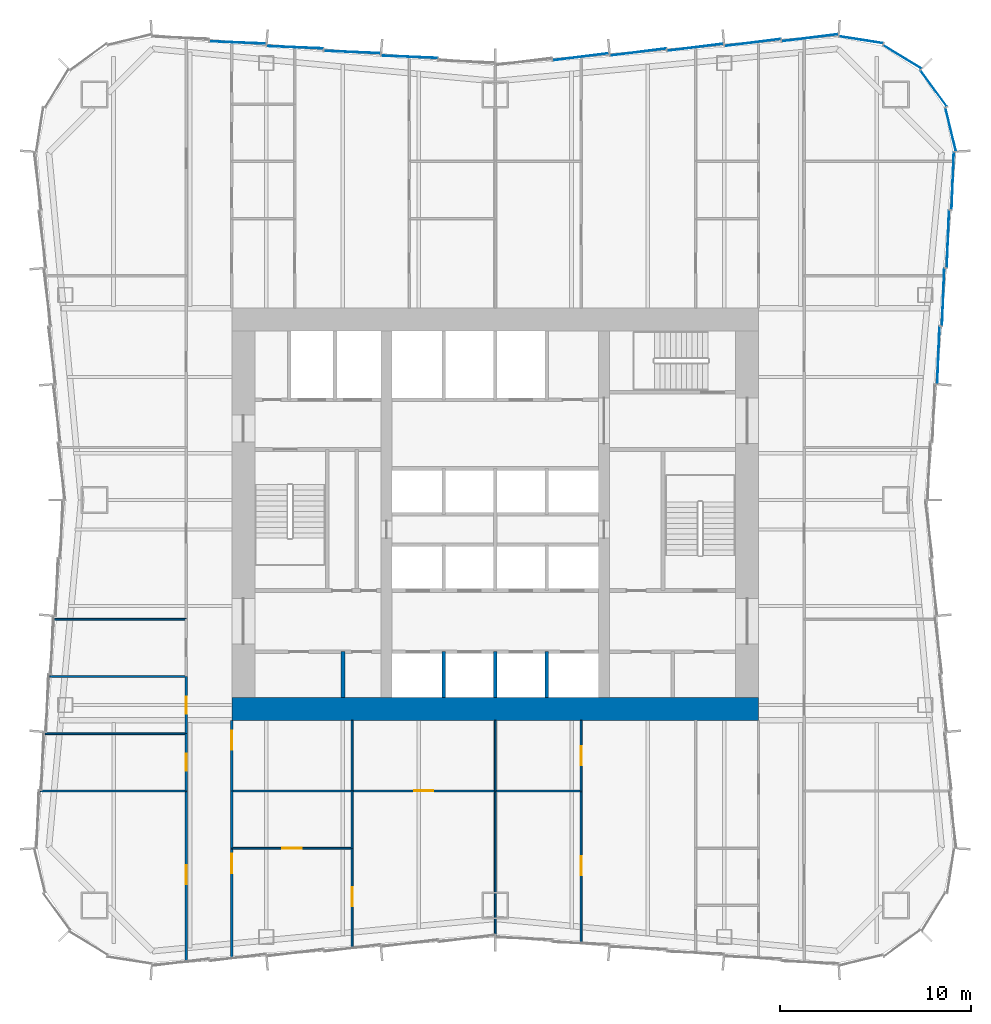
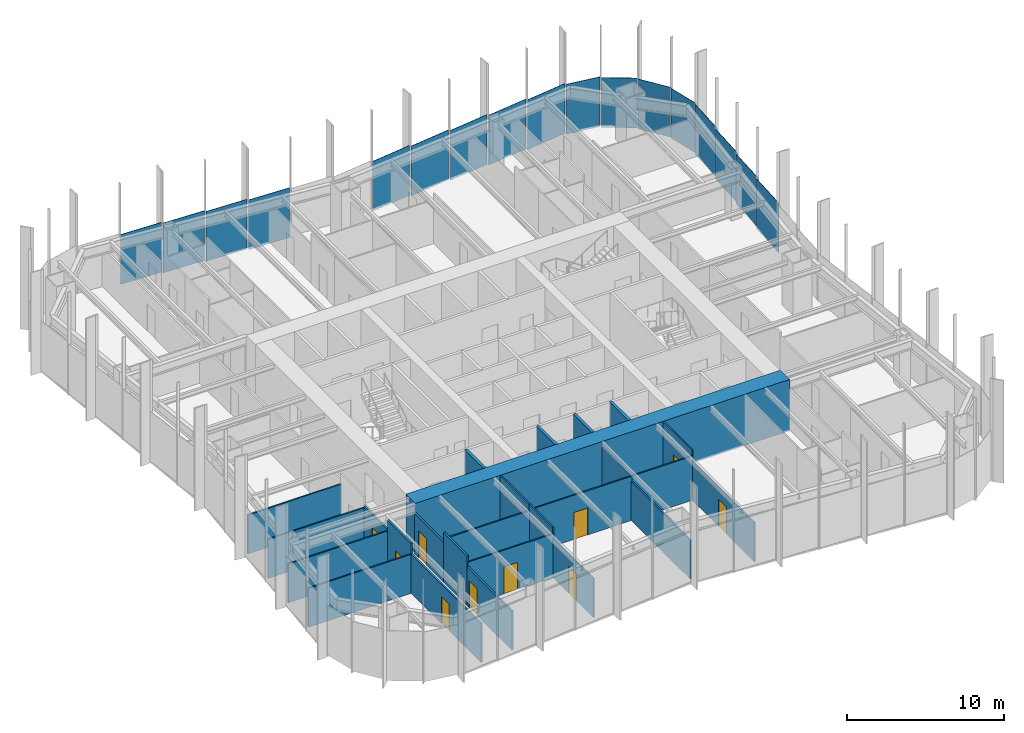
# One storey, part 8 of 13: 26 walls, 17 plates, 10 doors, 10 openings, 3 elements without a shape of their own.
"""IFC4 building model written with IfcOpenShell, lengths in metres."""

from ifc_helpers import new_model, si_unit, direction, frame, frame_2d, origin, origin_2d, place, context, subcontext, project, spatial, rectangle, extrude, material, layer, layer_set, type_object, element, fill, aggregate, save


model = new_model("IFC4")

# Units and contexts
model_context = context("Model", 3, precision=1e-05, world=origin(), true_north=direction((0.0, 1.0)))
body_context = subcontext(model_context, "Body", "Model", "MODEL_VIEW")
ifc_project = project(units=[si_unit("LENGTHUNIT", "METRE"), si_unit("AREAUNIT", "SQUARE_METRE"), si_unit("VOLUMEUNIT", "CUBIC_METRE"), si_unit("PLANEANGLEUNIT", "RADIAN"), si_unit("MASSUNIT", "GRAM", prefix="KILO")], contexts=[model_context])

# Site, building, storey
site_placement = place(None, origin())
site = spatial("IfcSite", under=ifc_project, at=site_placement, CompositionType="ELEMENT")
building_placement = place(site_placement, origin())
building = spatial("IfcBuilding", under=site, at=building_placement, Name="Verdant Reach Tower", CompositionType="ELEMENT")
storey_placement = place(building_placement, frame((0.0, 0.0, 106.0)))
storey = spatial("IfcBuildingStorey", under=building, at=storey_placement, Name="L24", CompositionType="ELEMENT", Elevation=106.0)

# Curtain wall, plates
ifc_material_1 = material(Name="Anodised aluminium", Category="aluminium")
curtain_wall_type = type_object("IfcCurtainWallType", Name="EN-CW SYSTEM Z1", PredefinedType="NOTDEFINED", material=ifc_material_1)
curtain_wall_1_placement = place(storey_placement, origin())
curtain_wall_1 = element("IfcCurtainWall", 1, at=curtain_wall_1_placement, inside=storey, type_object=curtain_wall_type, Name="Curtain wall east, L24", PredefinedType="NOTDEFINED")
ifc_material_2 = material(Name="Tinted glass with champagne spandrel", Category="glass")
ifc_layer_1 = layer(ifc_material_2, 0.031982421875)
ifc_layer_set_1 = layer_set([ifc_layer_1], Name="EN-PANEL CHAMPAGNE")
plate_type_1 = type_object("IfcPlateType", Name="EN-PANEL CHAMPAGNE", PredefinedType="CURTAIN_PANEL", material=ifc_layer_set_1)
plate_1_placement = place(storey_placement, frame((23.7275390625, 42.428955078125, -0.22802734375), z_axis=(0.0, 0.0, 1.0), x_axis=(0.040108781752, 0.999195319057, 0.0)))
plate_1 = element("IfcPlate", 2, at=plate_1_placement, type_object=plate_type_1, Name="Glass panel east face part 2 5.1, L24", PredefinedType="CURTAIN_PANEL", context=body_context, shape_type="SweptSolid", body=[
    extrude(rectangle(XDim=2.993896484375, YDim=0.031982421875, at=origin_2d()), origin(), (0.0, 0.0, 1.0), 3.8779296875),
])
plate_2_placement = place(storey_placement, frame((23.977783203125, 45.477783203125, -0.22802734375), z_axis=(0.0, 0.0, 1.0), x_axis=(0.039784239139, 0.999208293759, 0.0)))
plate_2 = element("IfcPlate", 3, at=plate_2_placement, type_object=plate_type_1, Name="Glass panel east face part 2 6.1, L24", PredefinedType="CURTAIN_PANEL", context=body_context, shape_type="SweptSolid", body=[
    extrude(rectangle(XDim=3.00830078125, YDim=0.031982421875, at=origin_2d()), origin(), (0.0, 0.0, 1.0), 3.8779296875),
])

# Curtain wall, plate
curtain_wall_2_placement = place(storey_placement, origin())
curtain_wall_2 = element("IfcCurtainWall", 4, at=curtain_wall_2_placement, inside=storey, type_object=curtain_wall_type, Name="Curtain wall north-east corner, L24", PredefinedType="NOTDEFINED")
plate_3_placement = place(storey_placement, frame((19.170654296875, 52.87060546875, -0.22802734375), z_axis=(0.0, 0.0, 1.0), x_axis=(-0.988032704995, 0.154244526195, 0.0)))
plate_3 = element("IfcPlate", 5, at=plate_3_placement, type_object=plate_type_1, Name="Glass panel north-east corner 4.1, L24", PredefinedType="CURTAIN_PANEL", context=body_context, shape_type="SweptSolid", body=[
    extrude(rectangle(XDim=2.317626953125, YDim=0.031982421875, at=origin_2d()), origin(), (0.0, 0.0, 1.0), 3.8779296875),
])

# Curtain wall, plates
curtain_wall_3_placement = place(storey_placement, origin())
curtain_wall_3 = element("IfcCurtainWall", 6, at=curtain_wall_3_placement, inside=storey, type_object=curtain_wall_type, Name="Curtain wall north, L24", PredefinedType="NOTDEFINED")
plate_4_placement = place(storey_placement, frame((13.491455078125, 52.7275390625, -0.22802734375), z_axis=(0.0, 0.0, 1.0), x_axis=(-0.992194034542, -0.124703639961, 0.0)))
plate_4 = element("IfcPlate", 7, at=plate_4_placement, type_object=plate_type_1, Name="Glass panel north face part 1 2.1, L24", PredefinedType="CURTAIN_PANEL", context=body_context, shape_type="SweptSolid", body=[
    extrude(rectangle(XDim=2.952392578125, YDim=0.031982421875, at=origin_2d()), origin(), (0.0, 0.0, 1.0), 3.8779296875),
])
plate_5_placement = place(storey_placement, frame((10.491455078125, 52.4775390625, -0.22802734375), z_axis=(0.0, 0.0, 1.0), x_axis=(-0.992194034542, -0.124703639961, 0.0)))
plate_5 = element("IfcPlate", 8, at=plate_5_placement, type_object=plate_type_1, Name="Glass panel north face part 1 3.1, L24", PredefinedType="CURTAIN_PANEL", context=body_context, shape_type="SweptSolid", body=[
    extrude(rectangle(XDim=2.952392578125, YDim=0.031982421875, at=origin_2d()), origin(), (0.0, 0.0, 1.0), 3.8779296875),
])
plate_6_placement = place(storey_placement, frame((-7.491455078125, 52.2275390625, -0.22802734375), z_axis=(0.0, 0.0, 1.0), x_axis=(-0.999149202059, 0.041241629766, 0.0)))
plate_6 = element("IfcPlate", 9, at=plate_6_placement, type_object=plate_type_1, Name="Glass panel north face part 2 3.1, L24", PredefinedType="CURTAIN_PANEL", context=body_context, shape_type="SweptSolid", body=[
    extrude(rectangle(XDim=2.952392578125, YDim=0.031982421875, at=origin_2d()), origin(), (0.0, 0.0, 1.0), 3.8779296875),
])
plate_7_placement = place(storey_placement, frame((-10.491455078125, 52.4775390625, -0.22802734375), z_axis=(0.0, 0.0, 1.0), x_axis=(-0.999149202059, 0.041241629766, 0.0)))
plate_7 = element("IfcPlate", 10, at=plate_7_placement, type_object=plate_type_1, Name="Glass panel north face part 2 4.1, L24", PredefinedType="CURTAIN_PANEL", context=body_context, shape_type="SweptSolid", body=[
    extrude(rectangle(XDim=2.952392578125, YDim=0.031982421875, at=origin_2d()), origin(), (0.0, 0.0, 1.0), 3.8779296875),
])
plate_8_placement = place(storey_placement, frame((-13.491455078125, 52.7275390625, -0.22802734375), z_axis=(0.0, 0.0, 1.0), x_axis=(-0.999149202059, 0.041241629766, 0.0)))
plate_8 = element("IfcPlate", 11, at=plate_8_placement, type_object=plate_type_1, Name="Glass panel north face part 2 5.1, L24", PredefinedType="CURTAIN_PANEL", context=body_context, shape_type="SweptSolid", body=[
    extrude(rectangle(XDim=2.952392578125, YDim=0.031982421875, at=origin_2d()), origin(), (0.0, 0.0, 1.0), 3.8779296875),
])
ifc_material_3 = material(Name="Tinted glass with copper spandrel", Category="glass")
ifc_layer_2 = layer(ifc_material_3, 0.031982421875)
ifc_layer_set_2 = layer_set([ifc_layer_2], Name="EN-PANEL COPPER")
plate_type_2 = type_object("IfcPlateType", Name="EN-PANEL COPPER", PredefinedType="CURTAIN_PANEL", material=ifc_layer_set_2)
plate_9_placement = place(storey_placement, frame((7.491455078125, 52.2275390625, -0.22802734375), z_axis=(0.0, 0.0, 1.0), x_axis=(-0.992194034542, -0.124703639961, 0.0)))
plate_9 = element("IfcPlate", 12, at=plate_9_placement, type_object=plate_type_2, Name="Glass panel north face part 1 4.1, L24", PredefinedType="CURTAIN_PANEL", context=body_context, shape_type="SweptSolid", body=[
    extrude(rectangle(XDim=2.952392578125, YDim=0.031982421875, at=origin_2d()), origin(), (0.0, 0.0, 1.0), 3.8779296875),
])
plate_10_placement = place(storey_placement, frame((4.491455078125, 51.9775390625, -0.22802734375), z_axis=(0.0, 0.0, 1.0), x_axis=(-0.992194034542, -0.124703639961, 0.0)))
plate_10 = element("IfcPlate", 13, at=plate_10_placement, type_object=plate_type_2, Name="Glass panel north face part 1 5.1, L24", PredefinedType="CURTAIN_PANEL", context=body_context, shape_type="SweptSolid", body=[
    extrude(rectangle(XDim=2.952392578125, YDim=0.031982421875, at=origin_2d()), origin(), (0.0, 0.0, 1.0), 3.8779296875),
])

# Plate
ifc_material_4 = material(Name="Tinted glass with dark bronze spandrel", Category="glass")
ifc_layer_3 = layer(ifc_material_4, 0.031982421875)
ifc_layer_set_3 = layer_set([ifc_layer_3], Name="EN-PANEL DARK")
plate_type_3 = type_object("IfcPlateType", Name="EN-PANEL DARK", PredefinedType="CURTAIN_PANEL", material=ifc_layer_set_3)
plate_11_placement = place(storey_placement, frame((23.2275390625, 36.345703125, -0.22802734375), z_axis=(0.0, 0.0, 1.0), x_axis=(0.040108781752, 0.999195319057, 0.0)))
plate_11 = element("IfcPlate", 14, at=plate_11_placement, type_object=plate_type_3, Name="Glass panel east face part 2 3.1, L24", PredefinedType="CURTAIN_PANEL", context=body_context, shape_type="SweptSolid", body=[
    extrude(rectangle(XDim=2.993896484375, YDim=0.031982421875, at=origin_2d()), origin(), (0.0, 0.0, 1.0), 3.8779296875),
])

plate_12_placement = place(storey_placement, frame((23.4775390625, 39.387451171875, -0.22802734375), z_axis=(0.0, 0.0, 1.0), x_axis=(0.040108781752, 0.999195319057, 0.0)))
plate_12 = element("IfcPlate", 15, at=plate_12_placement, type_object=plate_type_3, Name="Glass panel east face part 2 4.1, L24", PredefinedType="CURTAIN_PANEL", context=body_context, shape_type="SweptSolid", body=[
    extrude(rectangle(XDim=2.993896484375, YDim=0.031982421875, at=origin_2d()), origin(), (0.0, 0.0, 1.0), 3.8779296875),
])

aggregate(curtain_wall_1, [plate_11, plate_12, plate_1, plate_2])

plate_13_placement = place(storey_placement, frame((23.87060546875, 48.170654296875, -0.22802734375), z_axis=(0.0, 0.0, 1.0), x_axis=(-0.236383344544, 0.971659875894, 0.0)))
plate_13 = element("IfcPlate", 16, at=plate_13_placement, type_object=plate_type_3, Name="Glass panel north-east corner 1.1, L24", PredefinedType="CURTAIN_PANEL", context=body_context, shape_type="SweptSolid", body=[
    extrude(rectangle(XDim=2.3173828125, YDim=0.031982421875, at=origin_2d()), origin(), (0.0, 0.0, 1.0), 3.8779296875),
])

plate_14_placement = place(storey_placement, frame((22.97705078125, 50.325439453125, -0.22802734375), z_axis=(0.0, 0.0, 1.0), x_axis=(-0.589926768145, 0.807456753161, 0.0)))
plate_14 = element("IfcPlate", 17, at=plate_14_placement, type_object=plate_type_3, Name="Glass panel north-east corner 2.1, L24", PredefinedType="CURTAIN_PANEL", context=body_context, shape_type="SweptSolid", body=[
    extrude(rectangle(XDim=2.3232421875, YDim=0.031982421875, at=origin_2d()), origin(), (0.0, 0.0, 1.0), 3.8779296875),
])

plate_15_placement = place(storey_placement, frame((21.325439453125, 51.97705078125, -0.22802734375), z_axis=(0.0, 0.0, 1.0), x_axis=(-0.85398868836, 0.520291572248, 0.0)))
plate_15 = element("IfcPlate", 18, at=plate_15_placement, type_object=plate_type_3, Name="Glass panel north-east corner 3.1, L24", PredefinedType="CURTAIN_PANEL", context=body_context, shape_type="SweptSolid", body=[
    extrude(rectangle(XDim=2.3232421875, YDim=0.031982421875, at=origin_2d()), origin(), (0.0, 0.0, 1.0), 3.8779296875),
])

aggregate(curtain_wall_2, [plate_13, plate_14, plate_15, plate_3])

plate_16_placement = place(storey_placement, frame((16.49853515625, 52.977783203125, -0.22802734375), z_axis=(0.0, 0.0, 1.0), x_axis=(-0.99223537376, -0.124374286167, 0.0)))
plate_16 = element("IfcPlate", 19, at=plate_16_placement, type_object=plate_type_3, Name="Glass panel north face part 1 1.1, L24", PredefinedType="CURTAIN_PANEL", context=body_context, shape_type="SweptSolid", body=[
    extrude(rectangle(XDim=2.966796875, YDim=0.031982421875, at=origin_2d()), origin(), (0.0, 0.0, 1.0), 3.8779296875),
])

plate_17_placement = place(storey_placement, frame((-4.491455078125, 51.9775390625, -0.22802734375), z_axis=(0.0, 0.0, 1.0), x_axis=(-0.999149202059, 0.041241629766, 0.0)))
plate_17 = element("IfcPlate", 20, at=plate_17_placement, type_object=plate_type_3, Name="Glass panel north face part 2 2.1, L24", PredefinedType="CURTAIN_PANEL", context=body_context, shape_type="SweptSolid", body=[
    extrude(rectangle(XDim=2.952392578125, YDim=0.031982421875, at=origin_2d()), origin(), (0.0, 0.0, 1.0), 3.8779296875),
])

aggregate(curtain_wall_3, [plate_16, plate_4, plate_5, plate_9, plate_10, plate_17, plate_6, plate_7, plate_8])

# Walls
ifc_material_5 = material(Name="Gypsum board on steel studs", Category="steel")
ifc_layer_4 = layer(ifc_material_5, 0.199951171875)
ifc_layer_set_4 = layer_set([ifc_layer_4], Name="CO-WALL-ROOM")
wall_type_1 = type_object("IfcWallType", Name="CO-WALL-ROOM", PredefinedType="PARTITIONING", material=ifc_layer_set_4)
wall_1_placement = place(storey_placement, frame((-7.97998046875, 18.39990234375, 0.0), z_axis=(0.0, 0.0, 1.0), x_axis=(0.0, 1.0, 0.0)))
element("IfcWall", 21, at=wall_1_placement, inside=storey, type_object=wall_type_1, Name="Core partition, L24", PredefinedType="PARTITIONING", context=body_context, shape_type="SweptSolid", body=[
    extrude(rectangle(XDim=2.400146484375, YDim=0.199951171875, at=frame_2d((1.2001953125, 0.0))), origin(), (0.0, 0.0, 1.0), 3.8701171875),
])
ifc_material_6 = material(Name="Concrete C40/50", Category="concrete")
ifc_layer_5 = layer(ifc_material_6, 0.199951171875)
ifc_layer_set_5 = layer_set([ifc_layer_5], Name="CO-WALL-SHAFT")
wall_type_2 = type_object("IfcWallType", Name="CO-WALL-SHAFT", PredefinedType="PARTITIONING", material=ifc_layer_set_5)
for number, where, z_axis, x_axis, name in (
    (22, (-2.699951171875, 18.39990234375, 0.0), (0.0, 0.0, 1.0), (0.0, 1.0, 0.0), "Lift shaft wall, L24"),
    (23, (0.0, 18.39990234375, 0.0), (0.0, 0.0, 1.0), (0.0, 1.0, 0.0), "Lift shaft wall, L24"),
    (24, (2.699951171875, 18.39990234375, 0.0), (0.0, 0.0, 1.0), (0.0, 1.0, 0.0), "Lift shaft wall, L24"),
):
    element("IfcWall", number, at=place(storey_placement, frame(where, z_axis=z_axis, x_axis=x_axis)), inside=storey, type_object=wall_type_2, Name=name, PredefinedType="PARTITIONING", context=body_context, shape_type="SweptSolid", body=[
        extrude(rectangle(XDim=2.400146484375, YDim=0.199951171875, at=frame_2d((1.2001953125, 0.0))), origin(), (0.0, 0.0, 1.0), 3.8701171875),
    ])
ifc_layer_6 = layer(ifc_material_5, 0.10009765625)
ifc_layer_set_6 = layer_set([ifc_layer_6], Name="FL-W1 Partition 100")
wall_type_3 = type_object("IfcWallType", Name="FL-W1 Partition 100", PredefinedType="PARTITIONING", material=ifc_layer_set_6)
wall_2_placement = place(storey_placement, frame((-16.199951171875, 13.5, 0.0), z_axis=(0.0, 0.0, 1.0), x_axis=(-1.0, 0.0, 0.0)))
element("IfcWall", 25, at=wall_2_placement, inside=storey, type_object=wall_type_3, Name="Partition 24.27", PredefinedType="PARTITIONING", context=body_context, shape_type="SweptSolid", body=[
    extrude(rectangle(XDim=7.633544921875, YDim=0.10009765625, at=frame_2d((3.81689453125, 0.0))), origin(), (0.0, 0.0, 1.0), 3.0400390625),
])
wall_3_placement = place(storey_placement, frame((-16.199951171875, 16.5, 0.0), z_axis=(0.0, 0.0, 1.0), x_axis=(-1.0, 0.0, 0.0)))
element("IfcWall", 26, at=wall_3_placement, inside=storey, type_object=wall_type_3, Name="Partition 24.28", PredefinedType="PARTITIONING", context=body_context, shape_type="SweptSolid", body=[
    extrude(rectangle(XDim=7.386962890625, YDim=0.10009765625, at=frame_2d((3.693359375, 0.0))), origin(), (0.0, 0.0, 1.0), 3.0400390625),
])
wall_4_placement = place(storey_placement, frame((-16.199951171875, 19.5, 0.0), z_axis=(0.0, 0.0, 1.0), x_axis=(-1.0, 0.0, 0.0)))
element("IfcWall", 27, at=wall_4_placement, inside=storey, type_object=wall_type_3, Name="Partition 24.29", PredefinedType="PARTITIONING", context=body_context, shape_type="SweptSolid", body=[
    extrude(rectangle(XDim=7.140380859375, YDim=0.10009765625, at=frame_2d((3.5703125, 0.0))), origin(), (0.0, 0.0, 1.0), 3.0400390625),
])
wall_5_placement = place(storey_placement, frame((-16.199951171875, 22.5, 0.0), z_axis=(0.0, 0.0, 1.0), x_axis=(-1.0, 0.0, 0.0)))
element("IfcWall", 28, at=wall_5_placement, inside=storey, type_object=wall_type_3, Name="Partition 24.30", PredefinedType="PARTITIONING", context=body_context, shape_type="SweptSolid", body=[
    extrude(rectangle(XDim=6.893798828125, YDim=0.10009765625, at=frame_2d((3.44677734375, 0.0))), origin(), (0.0, 0.0, 1.0), 3.0400390625),
])

# Wall, opening, door
wall_6_placement = place(storey_placement, frame((-13.800048828125, 10.5, 0.0), z_axis=(0.0, 0.0, 1.0), x_axis=(1.0, 0.0, 0.0)))
wall_6 = element("IfcWall", 29, at=wall_6_placement, inside=storey, type_object=wall_type_3, Name="Partition 24.38", PredefinedType="PARTITIONING", context=body_context, shape_type="SweptSolid", body=[
    extrude(rectangle(XDim=6.300048828125, YDim=0.10009765625, at=frame_2d((3.14990234375, 0.0))), origin(), (0.0, 0.0, 1.0), 3.389892578125),
])
opening_1_placement = place(wall_6_placement, frame((2.64990234375, 0.0, 0.0)))
opening_1 = element("IfcOpeningElement", 30, at=opening_1_placement, cuts=wall_6, Name="Opening D3", PredefinedType="OPENING", context=body_context, shape_type="SweptSolid", body=[
    extrude(rectangle(XDim=1.0, YDim=2.10009765625, at=frame_2d((0.5, 1.050048828125))), frame((0.0, 0.06005859375, 0.0), z_axis=(0.0, -1.0, 0.0), x_axis=(1.0, 0.0, 0.0)), (0.0, 0.0, 1.0), 0.1201171875),
])
ifc_material_7 = material(Name="Painted timber door leaf", Category="wood")
door_type_1 = type_object("IfcDoorType", Name="FL-D3 Door 1000x2100", OperationType="NOTDEFINED", PredefinedType="DOOR", material=ifc_material_7)
door_1_placement = place(opening_1_placement, origin())
door_1 = element("IfcDoor", 31, at=door_1_placement, inside=storey, type_object=door_type_1, Name="Door 24-026", OperationType="SINGLE_SWING_RIGHT", OverallHeight=2.10009765625, OverallWidth=1.0, PredefinedType="DOOR", context=body_context, shape_type="SweptSolid", body=[
    extrude(rectangle(XDim=1.0, YDim=2.10009765625, at=frame_2d((0.5, 1.050048828125))), frame((0.0, 0.02490234375, 0.0), z_axis=(0.0, -1.0, 0.0), x_axis=(1.0, 0.0, 0.0)), (0.0, 0.0, 1.0), 0.050048828125),
])
fill(opening_1, door_1)

wall_7_placement = place(storey_placement, frame((-7.5, 10.50390625, 0.0), z_axis=(0.0, 0.0, 1.0), x_axis=(0.0, -1.0, 0.0)))
wall_7 = element("IfcWall", 32, at=wall_7_placement, inside=storey, type_object=wall_type_3, Name="Partition 24.39", PredefinedType="PARTITIONING", context=body_context, shape_type="SweptSolid", body=[
    extrude(rectangle(XDim=5.208984375, YDim=0.10009765625, at=frame_2d((2.6044921875, 0.0))), origin(), (0.0, 0.0, 1.0), 3.0400390625),
])
opening_2_placement = place(wall_7_placement, frame((2.039306640625, 0.0, 0.0)))
opening_2 = element("IfcOpeningElement", 33, at=opening_2_placement, cuts=wall_7, Name="Opening D3", PredefinedType="OPENING", context=body_context, shape_type="SweptSolid", body=[
    extrude(rectangle(XDim=1.0, YDim=2.10009765625, at=frame_2d((0.5, 1.050048828125))), frame((0.0, 0.06005859375, 0.0), z_axis=(0.0, -1.0, 0.0), x_axis=(1.0, 0.0, 0.0)), (0.0, 0.0, 1.0), 0.1201171875),
])
door_2_placement = place(opening_2_placement, origin())
door_2 = element("IfcDoor", 34, at=door_2_placement, inside=storey, type_object=door_type_1, Name="Door 24-027", OperationType="SINGLE_SWING_LEFT", OverallHeight=2.10009765625, OverallWidth=1.0, PredefinedType="DOOR", context=body_context, shape_type="SweptSolid", body=[
    extrude(rectangle(XDim=1.0, YDim=2.10009765625, at=frame_2d((0.5, 1.050048828125))), frame((0.0, 0.02490234375, 0.0), z_axis=(0.0, -1.0, 0.0), x_axis=(1.0, 0.0, 0.0)), (0.0, 0.0, 1.0), 0.050048828125),
])
fill(opening_2, door_2)

# Walls
wall_8_placement = place(storey_placement, frame((-7.5, 13.5, 0.0), z_axis=(0.0, 0.0, 1.0), x_axis=(-1.0, 0.0, 0.0)))
element("IfcWall", 35, at=wall_8_placement, inside=storey, type_object=wall_type_3, Name="Partition 24.40", PredefinedType="PARTITIONING", context=body_context, shape_type="SweptSolid", body=[
    extrude(rectangle(XDim=6.300048828125, YDim=0.10009765625, at=frame_2d((3.14990234375, 0.0))), origin(), (0.0, 0.0, 1.0), 3.389892578125),
])
wall_9_placement = place(storey_placement, frame((-7.5, 10.49609375, 0.0), z_axis=(0.0, 0.0, 1.0), x_axis=(0.0, 1.0, 0.0)))
element("IfcWall", 36, at=wall_9_placement, inside=storey, type_object=wall_type_3, Name="Partition 24.41", PredefinedType="PARTITIONING", context=body_context, shape_type="SweptSolid", body=[
    extrude(rectangle(XDim=3.00390625, YDim=0.10009765625, at=frame_2d((1.501953125, 0.0))), origin(), (0.0, 0.0, 1.0), 3.8701171875),
])
wall_10_placement = place(storey_placement, frame((-7.5, 13.5, 0.0), z_axis=(0.0, 0.0, 1.0), x_axis=(0.0, 1.0, 0.0)))
element("IfcWall", 37, at=wall_10_placement, inside=storey, type_object=wall_type_3, Name="Partition 24.42", PredefinedType="PARTITIONING", context=body_context, shape_type="SweptSolid", body=[
    extrude(rectangle(XDim=3.699951171875, YDim=0.10009765625, at=frame_2d((1.85009765625, 0.0))), origin(), (0.0, 0.0, 1.0), 3.8701171875),
])

# Wall, opening, door
wall_11_placement = place(storey_placement, frame((-7.5, 13.5, 0.0), z_axis=(0.0, 0.0, 1.0), x_axis=(1.0, 0.0, 0.0)))
wall_11 = element("IfcWall", 38, at=wall_11_placement, inside=storey, type_object=wall_type_3, Name="Partition 24.43", PredefinedType="PARTITIONING", context=body_context, shape_type="SweptSolid", body=[
    extrude(rectangle(XDim=7.5, YDim=0.10009765625, at=frame_2d((3.75, 0.0))), origin(), (0.0, 0.0, 1.0), 3.43994140625),
])
opening_3_placement = place(wall_11_placement, frame((3.25, 0.0, 0.0)))
opening_3 = element("IfcOpeningElement", 39, at=opening_3_placement, cuts=wall_11, Name="Opening D3", PredefinedType="OPENING", context=body_context, shape_type="SweptSolid", body=[
    extrude(rectangle(XDim=1.0, YDim=2.10009765625, at=frame_2d((0.5, 1.050048828125))), frame((0.0, 0.06005859375, 0.0), z_axis=(0.0, -1.0, 0.0), x_axis=(1.0, 0.0, 0.0)), (0.0, 0.0, 1.0), 0.1201171875),
])
door_3_placement = place(opening_3_placement, origin())
door_3 = element("IfcDoor", 40, at=door_3_placement, inside=storey, type_object=door_type_1, Name="Door 24-028", OperationType="SINGLE_SWING_RIGHT", OverallHeight=2.10009765625, OverallWidth=1.0, PredefinedType="DOOR", context=body_context, shape_type="SweptSolid", body=[
    extrude(rectangle(XDim=1.0, YDim=2.10009765625, at=frame_2d((0.5, 1.050048828125))), frame((0.0, 0.02490234375, 0.0), z_axis=(0.0, -1.0, 0.0), x_axis=(1.0, 0.0, 0.0)), (0.0, 0.0, 1.0), 0.050048828125),
])
fill(opening_3, door_3)

# Walls
wall_12_placement = place(storey_placement, frame((0.0, 5.919921875, 0.0), z_axis=(0.0, 0.0, 1.0), x_axis=(0.0, 1.0, 0.0)))
element("IfcWall", 41, at=wall_12_placement, inside=storey, type_object=wall_type_3, Name="Partition 24.44", PredefinedType="PARTITIONING", context=body_context, shape_type="SweptSolid", body=[
    extrude(rectangle(XDim=7.580078125, YDim=0.10009765625, at=frame_2d((3.7900390625, 0.0))), origin(), (0.0, 0.0, 1.0), 3.0400390625),
])
wall_13_placement = place(storey_placement, frame((0.0, 13.5, 0.0), z_axis=(0.0, 0.0, 1.0), x_axis=(0.0, 1.0, 0.0)))
element("IfcWall", 42, at=wall_13_placement, inside=storey, type_object=wall_type_3, Name="Partition 24.45", PredefinedType="PARTITIONING", context=body_context, shape_type="SweptSolid", body=[
    extrude(rectangle(XDim=3.699951171875, YDim=0.10009765625, at=frame_2d((1.85009765625, 0.0))), origin(), (0.0, 0.0, 1.0), 3.47998046875),
])

# Wall, opening, door
wall_14_placement = place(storey_placement, frame((4.5, 5.544921875, 0.0), z_axis=(0.0, 0.0, 1.0), x_axis=(0.0, 1.0, 0.0)))
wall_14 = element("IfcWall", 43, at=wall_14_placement, inside=storey, type_object=wall_type_3, Name="Partition 24.51", PredefinedType="PARTITIONING", context=body_context, shape_type="SweptSolid", body=[
    extrude(rectangle(XDim=7.955078125, YDim=0.10009765625, at=frame_2d((3.9775390625, 0.0))), origin(), (0.0, 0.0, 1.0), 3.0400390625),
])
opening_4_placement = place(wall_14_placement, frame((3.54248046875, 0.0, 0.0)))
opening_4 = element("IfcOpeningElement", 44, at=opening_4_placement, cuts=wall_14, Name="Opening D3", PredefinedType="OPENING", context=body_context, shape_type="SweptSolid", body=[
    extrude(rectangle(XDim=1.0, YDim=2.10009765625, at=frame_2d((0.5, 1.050048828125))), frame((0.0, 0.06005859375, 0.0), z_axis=(0.0, -1.0, 0.0), x_axis=(1.0, 0.0, 0.0)), (0.0, 0.0, 1.0), 0.1201171875),
])
door_4_placement = place(opening_4_placement, origin())
door_4 = element("IfcDoor", 45, at=door_4_placement, inside=storey, type_object=door_type_1, Name="Door 24-030", OperationType="SINGLE_SWING_RIGHT", OverallHeight=2.10009765625, OverallWidth=1.0, PredefinedType="DOOR", context=body_context, shape_type="SweptSolid", body=[
    extrude(rectangle(XDim=1.0, YDim=2.10009765625, at=frame_2d((0.5, 1.050048828125))), frame((0.0, 0.02490234375, 0.0), z_axis=(0.0, -1.0, 0.0), x_axis=(1.0, 0.0, 0.0)), (0.0, 0.0, 1.0), 0.050048828125),
])
fill(opening_4, door_4)

wall_15_placement = place(storey_placement, frame((4.5, 13.5, 0.0), z_axis=(0.0, 0.0, 1.0), x_axis=(0.0, 1.0, 0.0)))
wall_15 = element("IfcWall", 46, at=wall_15_placement, inside=storey, type_object=wall_type_3, Name="Partition 24.52", PredefinedType="PARTITIONING", context=body_context, shape_type="SweptSolid", body=[
    extrude(rectangle(XDim=3.699951171875, YDim=0.10009765625, at=frame_2d((1.85009765625, 0.0))), origin(), (0.0, 0.0, 1.0), 3.8701171875),
])
opening_5_placement = place(wall_15_placement, frame((1.35009765625, 0.0, 0.0)))
opening_5 = element("IfcOpeningElement", 47, at=opening_5_placement, cuts=wall_15, Name="Opening D3", PredefinedType="OPENING", context=body_context, shape_type="SweptSolid", body=[
    extrude(rectangle(XDim=1.0, YDim=2.10009765625, at=frame_2d((0.5, 1.050048828125))), frame((0.0, 0.06005859375, 0.0), z_axis=(0.0, -1.0, 0.0), x_axis=(1.0, 0.0, 0.0)), (0.0, 0.0, 1.0), 0.1201171875),
])
door_5_placement = place(opening_5_placement, origin())
door_5 = element("IfcDoor", 48, at=door_5_placement, inside=storey, type_object=door_type_1, Name="Door 24-031", OperationType="SINGLE_SWING_LEFT", OverallHeight=2.10009765625, OverallWidth=1.0, PredefinedType="DOOR", context=body_context, shape_type="SweptSolid", body=[
    extrude(rectangle(XDim=1.0, YDim=2.10009765625, at=frame_2d((0.5, 1.050048828125))), frame((0.0, 0.02490234375, 0.0), z_axis=(0.0, -1.0, 0.0), x_axis=(1.0, 0.0, 0.0)), (0.0, 0.0, 1.0), 0.050048828125),
])
fill(opening_5, door_5)

# Wall
wall_16_placement = place(storey_placement, frame((4.5, 13.5, 0.0), z_axis=(0.0, 0.0, 1.0), x_axis=(-1.0, 0.0, 0.0)))
element("IfcWall", 49, at=wall_16_placement, inside=storey, type_object=wall_type_3, Name="Partition 24.53", PredefinedType="PARTITIONING", context=body_context, shape_type="SweptSolid", body=[
    extrude(rectangle(XDim=4.5, YDim=0.10009765625, at=frame_2d((2.25, 0.0))), origin(), (0.0, 0.0, 1.0), 3.43994140625),
])

# Wall, opening, door
ifc_material_8 = material(Name="Gypsum board on steel studs, fire rated", Category="steel")
ifc_layer_7 = layer(ifc_material_8, 0.125)
ifc_layer_set_7 = layer_set([ifc_layer_7], Name="FL-W2 Corridor wall 125")
wall_type_4 = type_object("IfcWallType", Name="FL-W2 Corridor wall 125", PredefinedType="PARTITIONING", material=ifc_layer_set_7)
wall_17_placement = place(storey_placement, frame((-16.199951171875, 4.570068359375, 0.0), z_axis=(0.0, 0.0, 1.0), x_axis=(0.0, 1.0, 0.0)))
wall_17 = element("IfcWall", 50, at=wall_17_placement, inside=storey, type_object=wall_type_4, Name="Partition 24.01", PredefinedType="PARTITIONING", context=body_context, shape_type="SweptSolid", body=[
    extrude(rectangle(XDim=8.929931640625, YDim=0.125, at=frame_2d((4.46484375, 0.0))), origin(), (0.0, 0.0, 1.0), 3.0400390625),
])
opening_6_placement = place(wall_17_placement, frame((4.030029296875, 0.0, 0.0)))
opening_6 = element("IfcOpeningElement", 51, at=opening_6_placement, cuts=wall_17, Name="Opening D2", PredefinedType="OPENING", context=body_context, shape_type="SweptSolid", body=[
    extrude(rectangle(XDim=1.0, YDim=2.10009765625, at=frame_2d((0.5, 1.050048828125))), frame((0.0, 0.072509765625, 0.0), z_axis=(0.0, -1.0, 0.0), x_axis=(1.0, 0.0, 0.0)), (0.0, 0.0, 1.0), 0.14501953125),
])
ifc_material_9 = material(Name="Timber door leaf, fire rated", Category="wood")
door_type_2 = type_object("IfcDoorType", Name="FL-D2 Entrance door 1000x2100 FD30", OperationType="NOTDEFINED", PredefinedType="DOOR", material=ifc_material_9)
door_6_placement = place(opening_6_placement, origin())
door_6 = element("IfcDoor", 52, at=door_6_placement, inside=storey, type_object=door_type_2, Name="Door 24-001", OperationType="SINGLE_SWING_RIGHT", OverallHeight=2.10009765625, OverallWidth=1.0, PredefinedType="DOOR", context=body_context, shape_type="SweptSolid", body=[
    extrude(rectangle(XDim=1.0, YDim=2.10009765625, at=frame_2d((0.5, 1.050048828125))), frame((0.0, 0.02490234375, 0.0), z_axis=(0.0, -1.0, 0.0), x_axis=(1.0, 0.0, 0.0)), (0.0, 0.0, 1.0), 0.050048828125),
])
fill(opening_6, door_6)

wall_18_placement = place(storey_placement, frame((-16.199951171875, 13.5, 0.0), z_axis=(0.0, 0.0, 1.0), x_axis=(0.0, 1.0, 0.0)))
wall_18 = element("IfcWall", 53, at=wall_18_placement, inside=storey, type_object=wall_type_4, Name="Partition 24.02", PredefinedType="PARTITIONING", context=body_context, shape_type="SweptSolid", body=[
    extrude(rectangle(XDim=3.0, YDim=0.125, at=frame_2d((1.5, 0.0))), origin(), (0.0, 0.0, 1.0), 3.8701171875),
])
opening_7_placement = place(wall_18_placement, frame((1.050048828125, 0.0, 0.0)))
opening_7 = element("IfcOpeningElement", 54, at=opening_7_placement, cuts=wall_18, Name="Opening D1", PredefinedType="OPENING", context=body_context, shape_type="SweptSolid", body=[
    extrude(rectangle(XDim=0.89990234375, YDim=2.10009765625, at=frame_2d((0.449951171875, 1.050048828125))), frame((0.0, 0.072509765625, 0.0), z_axis=(0.0, -1.0, 0.0), x_axis=(1.0, 0.0, 0.0)), (0.0, 0.0, 1.0), 0.14501953125),
])
door_type_3 = type_object("IfcDoorType", Name="FL-D1 Door 900x2100", OperationType="NOTDEFINED", PredefinedType="DOOR", material=ifc_material_7)
door_7_placement = place(opening_7_placement, origin())
door_7 = element("IfcDoor", 55, at=door_7_placement, inside=storey, type_object=door_type_3, Name="Door 24-002", OperationType="SINGLE_SWING_RIGHT", OverallHeight=2.10009765625, OverallWidth=0.89990234375, PredefinedType="DOOR", context=body_context, shape_type="SweptSolid", body=[
    extrude(rectangle(XDim=0.89990234375, YDim=2.10009765625, at=frame_2d((0.449951171875, 1.050048828125))), frame((0.0, 0.02490234375, 0.0), z_axis=(0.0, -1.0, 0.0), x_axis=(1.0, 0.0, 0.0)), (0.0, 0.0, 1.0), 0.050048828125),
])
fill(opening_7, door_7)

wall_19_placement = place(storey_placement, frame((-16.199951171875, 16.5, 0.0), z_axis=(0.0, 0.0, 1.0), x_axis=(0.0, 1.0, 0.0)))
wall_19 = element("IfcWall", 56, at=wall_19_placement, inside=storey, type_object=wall_type_4, Name="Partition 24.03", PredefinedType="PARTITIONING", context=body_context, shape_type="SweptSolid", body=[
    extrude(rectangle(XDim=3.0, YDim=0.125, at=frame_2d((1.5, 0.0))), origin(), (0.0, 0.0, 1.0), 3.139892578125),
])
opening_8_placement = place(wall_19_placement, frame((1.050048828125, 0.0, 0.0)))
opening_8 = element("IfcOpeningElement", 57, at=opening_8_placement, cuts=wall_19, Name="Opening D1", PredefinedType="OPENING", context=body_context, shape_type="SweptSolid", body=[
    extrude(rectangle(XDim=0.89990234375, YDim=2.10009765625, at=frame_2d((0.449951171875, 1.050048828125))), frame((0.0, 0.072509765625, 0.0), z_axis=(0.0, -1.0, 0.0), x_axis=(1.0, 0.0, 0.0)), (0.0, 0.0, 1.0), 0.14501953125),
])
door_8_placement = place(opening_8_placement, origin())
door_8 = element("IfcDoor", 58, at=door_8_placement, inside=storey, type_object=door_type_3, Name="Door 24-003", OperationType="SINGLE_SWING_LEFT", OverallHeight=2.10009765625, OverallWidth=0.89990234375, PredefinedType="DOOR", context=body_context, shape_type="SweptSolid", body=[
    extrude(rectangle(XDim=0.89990234375, YDim=2.10009765625, at=frame_2d((0.449951171875, 1.050048828125))), frame((0.0, 0.02490234375, 0.0), z_axis=(0.0, -1.0, 0.0), x_axis=(1.0, 0.0, 0.0)), (0.0, 0.0, 1.0), 0.050048828125),
])
fill(opening_8, door_8)

wall_20_placement = place(storey_placement, frame((-13.800048828125, 10.5, 0.0), z_axis=(0.0, 0.0, 1.0), x_axis=(0.0, -1.0, 0.0)))
wall_20 = element("IfcWall", 59, at=wall_20_placement, inside=storey, type_object=wall_type_4, Name="Partition 24.08", PredefinedType="PARTITIONING", context=body_context, shape_type="SweptSolid", body=[
    extrude(rectangle(XDim=5.72998046875, YDim=0.125, at=frame_2d((2.864990234375, 0.0))), origin(), (0.0, 0.0, 1.0), 3.0400390625),
])
opening_9_placement = place(wall_20_placement, frame((0.2998046875, 0.0, 0.0)))
opening_9 = element("IfcOpeningElement", 60, at=opening_9_placement, cuts=wall_20, Name="Opening D2", PredefinedType="OPENING", context=body_context, shape_type="SweptSolid", body=[
    extrude(rectangle(XDim=1.0, YDim=2.10009765625, at=frame_2d((0.5, 1.050048828125))), frame((0.0, 0.072509765625, 0.0), z_axis=(0.0, -1.0, 0.0), x_axis=(1.0, 0.0, 0.0)), (0.0, 0.0, 1.0), 0.14501953125),
])
door_9_placement = place(opening_9_placement, origin())
door_9 = element("IfcDoor", 61, at=door_9_placement, inside=storey, type_object=door_type_2, Name="Door 24-008", OperationType="SINGLE_SWING_LEFT", OverallHeight=2.10009765625, OverallWidth=1.0, PredefinedType="DOOR", context=body_context, shape_type="SweptSolid", body=[
    extrude(rectangle(XDim=1.0, YDim=2.10009765625, at=frame_2d((0.5, 1.050048828125))), frame((0.0, 0.02490234375, 0.0), z_axis=(0.0, -1.0, 0.0), x_axis=(1.0, 0.0, 0.0)), (0.0, 0.0, 1.0), 0.050048828125),
])
fill(opening_9, door_9)

# Wall
wall_21_placement = place(storey_placement, frame((-13.800048828125, 10.5, 0.0), z_axis=(0.0, 0.0, 1.0), x_axis=(0.0, 1.0, 0.0)))
element("IfcWall", 62, at=wall_21_placement, inside=storey, type_object=wall_type_4, Name="Partition 24.09", PredefinedType="PARTITIONING", context=body_context, shape_type="SweptSolid", body=[
    extrude(rectangle(XDim=3.0, YDim=0.125, at=frame_2d((1.5, 0.0))), origin(), (0.0, 0.0, 1.0), 3.8701171875),
])

# Wall, opening, door
wall_22_placement = place(storey_placement, frame((-13.800048828125, 17.199951171875, 0.0), z_axis=(0.0, 0.0, 1.0), x_axis=(0.0, -1.0, 0.0)))
wall_22 = element("IfcWall", 63, at=wall_22_placement, inside=storey, type_object=wall_type_4, Name="Partition 24.10", PredefinedType="PARTITIONING", context=body_context, shape_type="SweptSolid", body=[
    extrude(rectangle(XDim=3.699951171875, YDim=0.125, at=frame_2d((1.85009765625, 0.0))), origin(), (0.0, 0.0, 1.0), 3.139892578125),
])
opening_10_placement = place(wall_22_placement, frame((0.550048828125, 0.0, 0.0)))
opening_10 = element("IfcOpeningElement", 64, at=opening_10_placement, cuts=wall_22, Name="Opening D2", PredefinedType="OPENING", context=body_context, shape_type="SweptSolid", body=[
    extrude(rectangle(XDim=1.0, YDim=2.10009765625, at=frame_2d((0.5, 1.050048828125))), frame((0.0, 0.072509765625, 0.0), z_axis=(0.0, -1.0, 0.0), x_axis=(1.0, 0.0, 0.0)), (0.0, 0.0, 1.0), 0.14501953125),
])
door_10_placement = place(opening_10_placement, origin())
door_10 = element("IfcDoor", 65, at=door_10_placement, inside=storey, type_object=door_type_2, Name="Door 24-009", OperationType="SINGLE_SWING_LEFT", OverallHeight=2.10009765625, OverallWidth=1.0, PredefinedType="DOOR", context=body_context, shape_type="SweptSolid", body=[
    extrude(rectangle(XDim=1.0, YDim=2.10009765625, at=frame_2d((0.5, 1.050048828125))), frame((0.0, 0.02490234375, 0.0), z_axis=(0.0, -1.0, 0.0), x_axis=(1.0, 0.0, 0.0)), (0.0, 0.0, 1.0), 0.050048828125),
])
fill(opening_10, door_10)

# Wall
ifc_material_10 = material(Name="Concrete C70/85", Category="concrete")
ifc_layer_8 = layer(ifc_material_10, 1.199951171875)
ifc_layer_set_8 = layer_set([ifc_layer_8], Name="ST-CORE-WALL-1200")
wall_type_5 = type_object("IfcWallType", Name="ST-CORE-WALL-1200", PredefinedType="SHEAR", material=ifc_layer_set_8)
wall_23_placement = place(storey_placement, frame((-13.800048828125, 17.800048828125, -0.1298828125), z_axis=(0.0, 0.0, 1.0), x_axis=(1.0, 0.0, 0.0)))
element("IfcWall", 66, at=wall_23_placement, inside=storey, type_object=wall_type_5, Name="Core wall S, L24", PredefinedType="SHEAR", context=body_context, shape_type="SweptSolid", body=[
    extrude(rectangle(XDim=27.60009765625, YDim=1.199951171875, at=frame_2d((13.800048828125, 0.0))), origin(), (0.0, 0.0, 1.0), 4.0),
])

save(model, "model.ifc")
